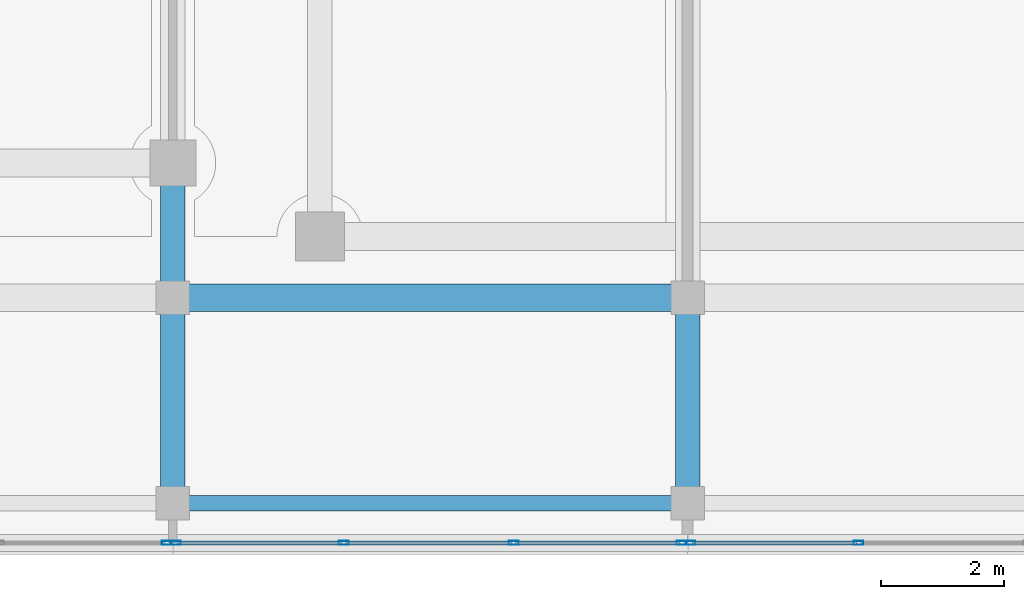
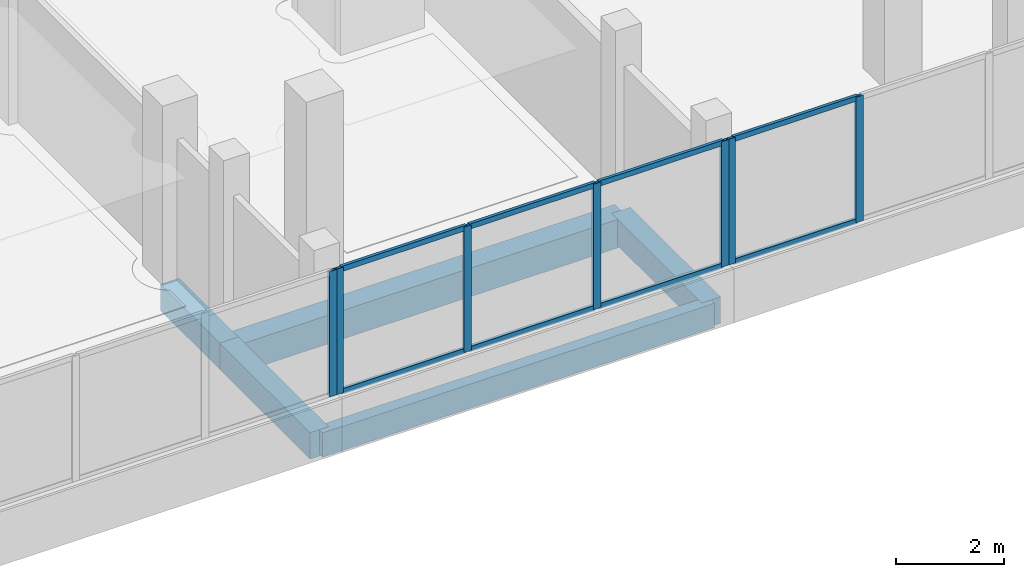
# One storey, part 13 of 66: 15 members, 5 beams, 3 elements without a shape of their own.
"""IFC4 building model written with IfcOpenShell, lengths in metres."""

from ifc_helpers import new_model, si_unit, direction, frame, origin, origin_2d, place, context, subcontext, project, spatial, rectangle, hollow_rectangle, extrude, material, material_profile, profile_set, type_object, element, aggregate, save


model = new_model("IFC4")

# Units and contexts
model_context = context("Model", 3, precision=1e-05, world=origin(), true_north=direction((0.0, 1.0)))
body_context = subcontext(model_context, "Body", "Model", "MODEL_VIEW")
ifc_project = project(units=[si_unit("LENGTHUNIT", "METRE"), si_unit("AREAUNIT", "SQUARE_METRE"), si_unit("VOLUMEUNIT", "CUBIC_METRE"), si_unit("PLANEANGLEUNIT", "RADIAN"), si_unit("MASSUNIT", "GRAM", prefix="KILO")], contexts=[model_context])

# Site, building, storey
site_placement = place(None, origin())
site = spatial("IfcSite", under=ifc_project, at=site_placement, CompositionType="ELEMENT")
building_placement = place(site_placement, origin())
building = spatial("IfcBuilding", under=site, at=building_placement, Name="Selatvlak General Hospital", CompositionType="ELEMENT")
storey_placement = place(building_placement, frame((0.0, 0.0, 31.35009765625)))
storey = spatial("IfcBuildingStorey", under=building, at=storey_placement, Name="L07", CompositionType="ELEMENT", Elevation=31.35009765625)

# Beams
ifc_material_1 = material(Name="Concrete C40/50", Category="concrete")
ifc_material_profile_1 = material_profile(ifc_material_1, rectangle(XDim=0.449951171875, YDim=0.64990234375, at=origin_2d()), Name="RC-BM 450x650")
ifc_profile_set_1 = profile_set([ifc_material_profile_1], Name="Concrete C40/50")
beam_type_1 = type_object("IfcBeamType", Name="BM-G04", PredefinedType="BEAM", material=ifc_profile_set_1)
beam_1_placement = place(storey_placement, frame((56.39990234375, 92.0, -0.59521484375), z_axis=(1.0, 0.0, 0.0), x_axis=(0.0, 1.0, 0.0)))
element("IfcBeam", 1, at=beam_1_placement, inside=storey, type_object=beam_type_1, Name="Beam BMR-L07-2385", PredefinedType="BEAM", context=body_context, shape_type="SweptSolid", body=[
    extrude(rectangle(XDim=0.449951171875, YDim=0.64990234375, at=origin_2d()), origin(), (0.0, 0.0, 1.0), 8.400146484375),
])
ifc_material_profile_2 = material_profile(ifc_material_1, rectangle(XDim=0.39990234375, YDim=0.60009765625, at=origin_2d()), Name="RC-BM 400x600")
ifc_profile_set_2 = profile_set([ifc_material_profile_2], Name="Concrete C40/50")
beam_type_2 = type_object("IfcBeamType", Name="BM-G05", PredefinedType="BEAM", material=ifc_profile_set_2)
beam_2_placement = place(storey_placement, frame((56.39990234375, 88.64990234375, -0.570068359375), z_axis=(0.0, 1.0, 0.0), x_axis=(-1.0, 0.0, 0.0)))
element("IfcBeam", 2, at=beam_2_placement, inside=storey, type_object=beam_type_2, Name="Beam BMR-L07-2473", PredefinedType="BEAM", context=body_context, shape_type="SweptSolid", body=[
    extrude(rectangle(XDim=0.39990234375, YDim=0.60009765625, at=origin_2d()), origin(), (0.0, 0.0, 1.0), 3.35009765625),
])
beam_3_placement = place(storey_placement, frame((56.39990234375, 92.0, -0.570068359375), z_axis=(0.0, 1.0, 0.0), x_axis=(-1.0, 0.0, 0.0)))
element("IfcBeam", 3, at=beam_3_placement, inside=storey, type_object=beam_type_2, Name="Beam BMR-L07-2474", PredefinedType="BEAM", context=body_context, shape_type="SweptSolid", body=[
    extrude(rectangle(XDim=0.39990234375, YDim=0.60009765625, at=origin_2d()), origin(), (0.0, 0.0, 1.0), 2.199951171875),
])
beam_4_placement = place(storey_placement, frame((64.800048828125, 88.64990234375, -0.570068359375), z_axis=(0.0, 1.0, 0.0), x_axis=(-1.0, 0.0, 0.0)))
element("IfcBeam", 4, at=beam_4_placement, inside=storey, type_object=beam_type_2, Name="Beam BMR-L07-2479", PredefinedType="BEAM", context=body_context, shape_type="SweptSolid", body=[
    extrude(rectangle(XDim=0.39990234375, YDim=0.60009765625, at=origin_2d()), origin(), (0.0, 0.0, 1.0), 3.35009765625),
])
ifc_material_profile_3 = material_profile(ifc_material_1, rectangle(XDim=0.25, YDim=0.550048828125, at=origin_2d()), Name="RC-SP 250x550")
ifc_profile_set_3 = profile_set([ifc_material_profile_3], Name="Concrete C40/50")
beam_type_3 = type_object("IfcBeamType", Name="BM-SP2", PredefinedType="SPANDREL", material=ifc_profile_set_3)
beam_5_placement = place(storey_placement, frame((56.39990234375, 88.64990234375, -0.545166015625), z_axis=(1.0, 0.0, 0.0), x_axis=(0.0, 1.0, 0.0)))
element("IfcBeam", 5, at=beam_5_placement, inside=storey, type_object=beam_type_3, Name="Beam BMR-L07-2366", PredefinedType="SPANDREL", context=body_context, shape_type="SweptSolid", body=[
    extrude(rectangle(XDim=0.25, YDim=0.550048828125, at=origin_2d()), origin(), (0.0, 0.0, 1.0), 8.400146484375),
])

# Curtain wall, members
ifc_material_2 = material(Name="Solar-control Low-E double glazing", Category="glass")
curtain_wall_type_1 = type_object("IfcCurtainWallType", Name="CW-CW-02", PredefinedType="USERDEFINED", material=ifc_material_2)
curtain_wall_1_placement = place(storey_placement, origin())
curtain_wall_1 = element("IfcCurtainWall", 6, at=curtain_wall_1_placement, inside=storey, type_object=curtain_wall_type_1, Name="Glazed facade curtain wall CW-L07-0674", ObjectType="UNITISED CURTAIN WALL", PredefinedType="USERDEFINED")
ifc_material_3 = material(Name="Dark anodised aluminium mullion", Category="aluminium")
ifc_material_profile_4 = material_profile(ifc_material_3, hollow_rectangle(XDim=0.06494140625, YDim=0.159912109375, WallThickness=0.00390625, at=origin_2d()), Name="AL-MUL 65x160x4")
ifc_profile_set_4 = profile_set([ifc_material_profile_4], Name="Dark anodised aluminium mullion")
member_type_1 = type_object("IfcMemberType", Name="CWM-01", PredefinedType="MULLION", material=ifc_profile_set_4)
member_1_placement = place(storey_placement, frame((67.58837890625, 88.0, 0.93994140625), z_axis=(0.0, 0.0, 1.0), x_axis=(0.0, -1.0, 0.0)))
member_1 = element("IfcMember", 7, at=member_1_placement, type_object=member_type_1, Name="CW-02 mullion 3", PredefinedType="MULLION", context=body_context, shape_type="SweptSolid", body=[
    extrude(hollow_rectangle(XDim=0.06494140625, YDim=0.159912109375, WallThickness=0.00390625, at=origin_2d()), origin(), (0.0, 0.0, 1.0), 2.844970703125),
])
member_2_placement = place(storey_placement, frame((64.847412109375, 88.0, 0.93994140625), z_axis=(0.0, 0.0, 1.0), x_axis=(0.0, -1.0, 0.0)))
member_2 = element("IfcMember", 8, at=member_2_placement, type_object=member_type_1, Name="CW-02 mullion 4", PredefinedType="MULLION", context=body_context, shape_type="SweptSolid", body=[
    extrude(hollow_rectangle(XDim=0.06494140625, YDim=0.159912109375, WallThickness=0.00390625, at=origin_2d()), origin(), (0.0, 0.0, 1.0), 2.844970703125),
])

curtain_wall_type_2 = type_object("IfcCurtainWallType", Name="CW-CW-01", PredefinedType="USERDEFINED", material=ifc_material_2)
curtain_wall_2_placement = place(storey_placement, origin())
curtain_wall_2 = element("IfcCurtainWall", 9, at=curtain_wall_2_placement, inside=storey, type_object=curtain_wall_type_2, Name="Glazed facade curtain wall CW-L07-0675", ObjectType="UNITISED CURTAIN WALL", PredefinedType="USERDEFINED")
member_3_placement = place(storey_placement, frame((64.702392578125, 88.0, 0.93994140625), z_axis=(0.0, 0.0, 1.0), x_axis=(0.0, -1.0, 0.0)))
member_3 = element("IfcMember", 10, at=member_3_placement, type_object=member_type_1, Name="CW-01 mullion 1", PredefinedType="MULLION", context=body_context, shape_type="SweptSolid", body=[
    extrude(hollow_rectangle(XDim=0.06494140625, YDim=0.159912109375, WallThickness=0.00390625, at=origin_2d()), origin(), (0.0, 0.0, 1.0), 2.844970703125),
])
member_4_placement = place(storey_placement, frame((61.961669921875, 88.0, 0.93994140625), z_axis=(0.0, 0.0, 1.0), x_axis=(0.0, -1.0, 0.0)))
member_4 = element("IfcMember", 11, at=member_4_placement, type_object=member_type_1, Name="CW-01 mullion 2", PredefinedType="MULLION", context=body_context, shape_type="SweptSolid", body=[
    extrude(hollow_rectangle(XDim=0.06494140625, YDim=0.159912109375, WallThickness=0.00390625, at=origin_2d()), origin(), (0.0, 0.0, 1.0), 2.844970703125),
])
member_5_placement = place(storey_placement, frame((59.188232421875, 88.0, 0.93994140625), z_axis=(0.0, 0.0, 1.0), x_axis=(0.0, -1.0, 0.0)))
member_5 = element("IfcMember", 12, at=member_5_placement, type_object=member_type_1, Name="CW-01 mullion 3", PredefinedType="MULLION", context=body_context, shape_type="SweptSolid", body=[
    extrude(hollow_rectangle(XDim=0.06494140625, YDim=0.159912109375, WallThickness=0.00390625, at=origin_2d()), origin(), (0.0, 0.0, 1.0), 2.844970703125),
])
member_6_placement = place(storey_placement, frame((56.447509765625, 88.0, 0.93994140625), z_axis=(0.0, 0.0, 1.0), x_axis=(0.0, -1.0, 0.0)))
member_6 = element("IfcMember", 13, at=member_6_placement, type_object=member_type_1, Name="CW-01 mullion 4", PredefinedType="MULLION", context=body_context, shape_type="SweptSolid", body=[
    extrude(hollow_rectangle(XDim=0.06494140625, YDim=0.159912109375, WallThickness=0.00390625, at=origin_2d()), origin(), (0.0, 0.0, 1.0), 2.844970703125),
])

# Curtain wall, member
curtain_wall_3_placement = place(storey_placement, origin())
curtain_wall_3 = element("IfcCurtainWall", 14, at=curtain_wall_3_placement, inside=storey, type_object=curtain_wall_type_1, Name="Glazed facade curtain wall CW-L07-0676", ObjectType="UNITISED CURTAIN WALL", PredefinedType="USERDEFINED")
member_7_placement = place(storey_placement, frame((56.302490234375, 88.0, 0.93994140625), z_axis=(0.0, 0.0, 1.0), x_axis=(0.0, -1.0, 0.0)))
member_7 = element("IfcMember", 15, at=member_7_placement, type_object=member_type_1, Name="CW-02 mullion 1", PredefinedType="MULLION", context=body_context, shape_type="SweptSolid", body=[
    extrude(hollow_rectangle(XDim=0.06494140625, YDim=0.159912109375, WallThickness=0.00390625, at=origin_2d()), origin(), (0.0, 0.0, 1.0), 2.844970703125),
])
aggregate(curtain_wall_3, [member_7])

# Member
ifc_material_profile_5 = material_profile(ifc_material_3, hollow_rectangle(XDim=0.06494140625, YDim=0.1201171875, WallThickness=0.00390625, at=origin_2d()), Name="AL-TRN 65x120x4")
ifc_profile_set_5 = profile_set([ifc_material_profile_5], Name="Dark anodised aluminium mullion")
member_type_2 = type_object("IfcMemberType", Name="CWT-01", PredefinedType="USERDEFINED", material=ifc_profile_set_5)
member_8_placement = place(storey_placement, frame((67.555908203125, 88.0, 0.972412109375), z_axis=(-1.0, 0.0, 0.0), x_axis=(0.0, -1.0, 0.0)))
member_8 = element("IfcMember", 16, at=member_8_placement, type_object=member_type_2, Name="CW-02 transom 3.1", ObjectType="TRANSOM", PredefinedType="USERDEFINED", context=body_context, shape_type="SweptSolid", body=[
    extrude(hollow_rectangle(XDim=0.06494140625, YDim=0.1201171875, WallThickness=0.00390625, at=origin_2d()), origin(), (0.0, 0.0, 1.0), 2.676025390625),
])

member_9_placement = place(storey_placement, frame((67.555908203125, 88.0, 3.75244140625), z_axis=(-1.0, 0.0, 0.0), x_axis=(0.0, -1.0, 0.0)))
member_9 = element("IfcMember", 17, at=member_9_placement, type_object=member_type_2, Name="CW-02 transom 3.2", ObjectType="TRANSOM", PredefinedType="USERDEFINED", context=body_context, shape_type="SweptSolid", body=[
    extrude(hollow_rectangle(XDim=0.06494140625, YDim=0.1201171875, WallThickness=0.00390625, at=origin_2d()), origin(), (0.0, 0.0, 1.0), 2.676025390625),
])

aggregate(curtain_wall_1, [member_1, member_2, member_8, member_9])

member_10_placement = place(storey_placement, frame((64.669921875, 88.0, 0.972412109375), z_axis=(-1.0, 0.0, 0.0), x_axis=(0.0, -1.0, 0.0)))
member_10 = element("IfcMember", 18, at=member_10_placement, type_object=member_type_2, Name="CW-01 transom 1.1", ObjectType="TRANSOM", PredefinedType="USERDEFINED", context=body_context, shape_type="SweptSolid", body=[
    extrude(hollow_rectangle(XDim=0.06494140625, YDim=0.1201171875, WallThickness=0.00390625, at=origin_2d()), origin(), (0.0, 0.0, 1.0), 2.67578125),
])

member_11_placement = place(storey_placement, frame((64.669921875, 88.0, 3.75244140625), z_axis=(-1.0, 0.0, 0.0), x_axis=(0.0, -1.0, 0.0)))
member_11 = element("IfcMember", 19, at=member_11_placement, type_object=member_type_2, Name="CW-01 transom 1.2", ObjectType="TRANSOM", PredefinedType="USERDEFINED", context=body_context, shape_type="SweptSolid", body=[
    extrude(hollow_rectangle(XDim=0.06494140625, YDim=0.1201171875, WallThickness=0.00390625, at=origin_2d()), origin(), (0.0, 0.0, 1.0), 2.67578125),
])

member_12_placement = place(storey_placement, frame((61.92919921875, 88.0, 0.972412109375), z_axis=(-1.0, 0.0, 0.0), x_axis=(0.0, -1.0, 0.0)))
member_12 = element("IfcMember", 20, at=member_12_placement, type_object=member_type_2, Name="CW-01 transom 2.1", ObjectType="TRANSOM", PredefinedType="USERDEFINED", context=body_context, shape_type="SweptSolid", body=[
    extrude(hollow_rectangle(XDim=0.06494140625, YDim=0.1201171875, WallThickness=0.00390625, at=origin_2d()), origin(), (0.0, 0.0, 1.0), 2.708251953125),
])

member_13_placement = place(storey_placement, frame((61.92919921875, 88.0, 3.75244140625), z_axis=(-1.0, 0.0, 0.0), x_axis=(0.0, -1.0, 0.0)))
member_13 = element("IfcMember", 21, at=member_13_placement, type_object=member_type_2, Name="CW-01 transom 2.2", ObjectType="TRANSOM", PredefinedType="USERDEFINED", context=body_context, shape_type="SweptSolid", body=[
    extrude(hollow_rectangle(XDim=0.06494140625, YDim=0.1201171875, WallThickness=0.00390625, at=origin_2d()), origin(), (0.0, 0.0, 1.0), 2.708251953125),
])

member_14_placement = place(storey_placement, frame((59.15576171875, 88.0, 0.972412109375), z_axis=(-1.0, 0.0, 0.0), x_axis=(0.0, -1.0, 0.0)))
member_14 = element("IfcMember", 22, at=member_14_placement, type_object=member_type_2, Name="CW-01 transom 3.1", ObjectType="TRANSOM", PredefinedType="USERDEFINED", context=body_context, shape_type="SweptSolid", body=[
    extrude(hollow_rectangle(XDim=0.06494140625, YDim=0.1201171875, WallThickness=0.00390625, at=origin_2d()), origin(), (0.0, 0.0, 1.0), 2.67578125),
])

member_15_placement = place(storey_placement, frame((59.15576171875, 88.0, 3.75244140625), z_axis=(-1.0, 0.0, 0.0), x_axis=(0.0, -1.0, 0.0)))
member_15 = element("IfcMember", 23, at=member_15_placement, type_object=member_type_2, Name="CW-01 transom 3.2", ObjectType="TRANSOM", PredefinedType="USERDEFINED", context=body_context, shape_type="SweptSolid", body=[
    extrude(hollow_rectangle(XDim=0.06494140625, YDim=0.1201171875, WallThickness=0.00390625, at=origin_2d()), origin(), (0.0, 0.0, 1.0), 2.67578125),
])

aggregate(curtain_wall_2, [member_3, member_4, member_5, member_6, member_10, member_11, member_12, member_13, member_14, member_15])

save(model, "model.ifc")
